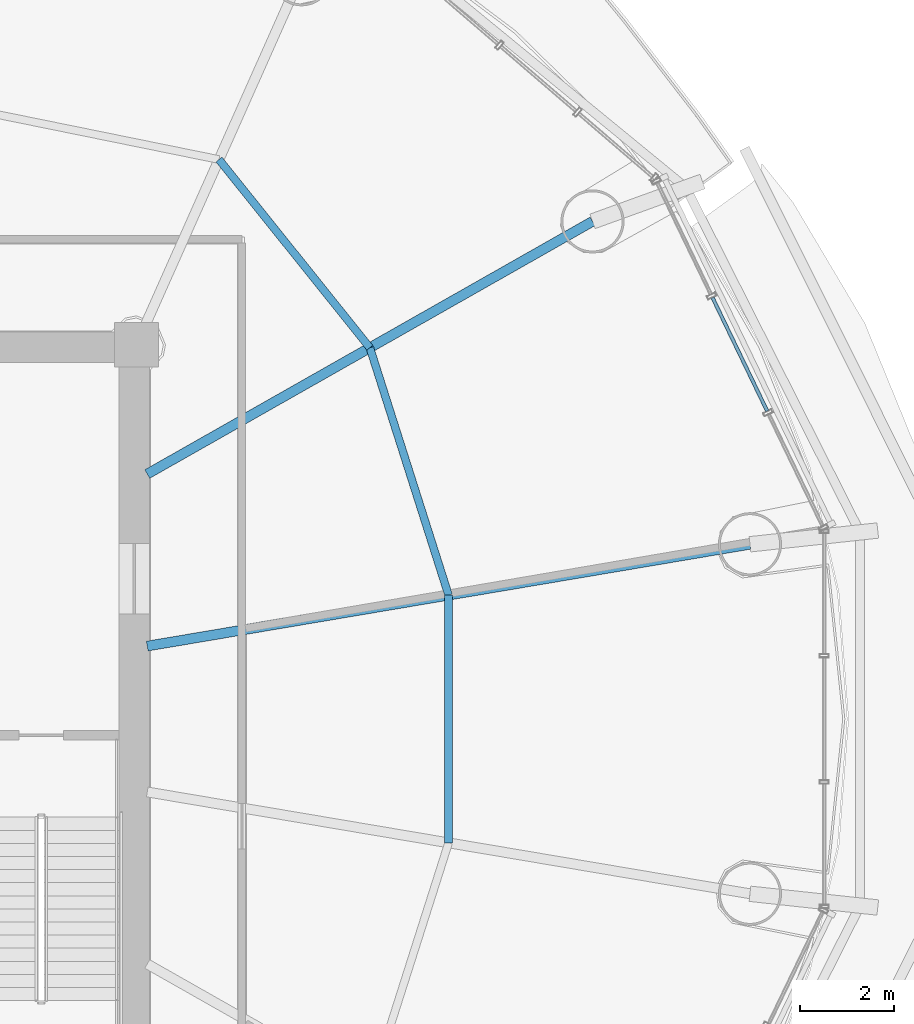
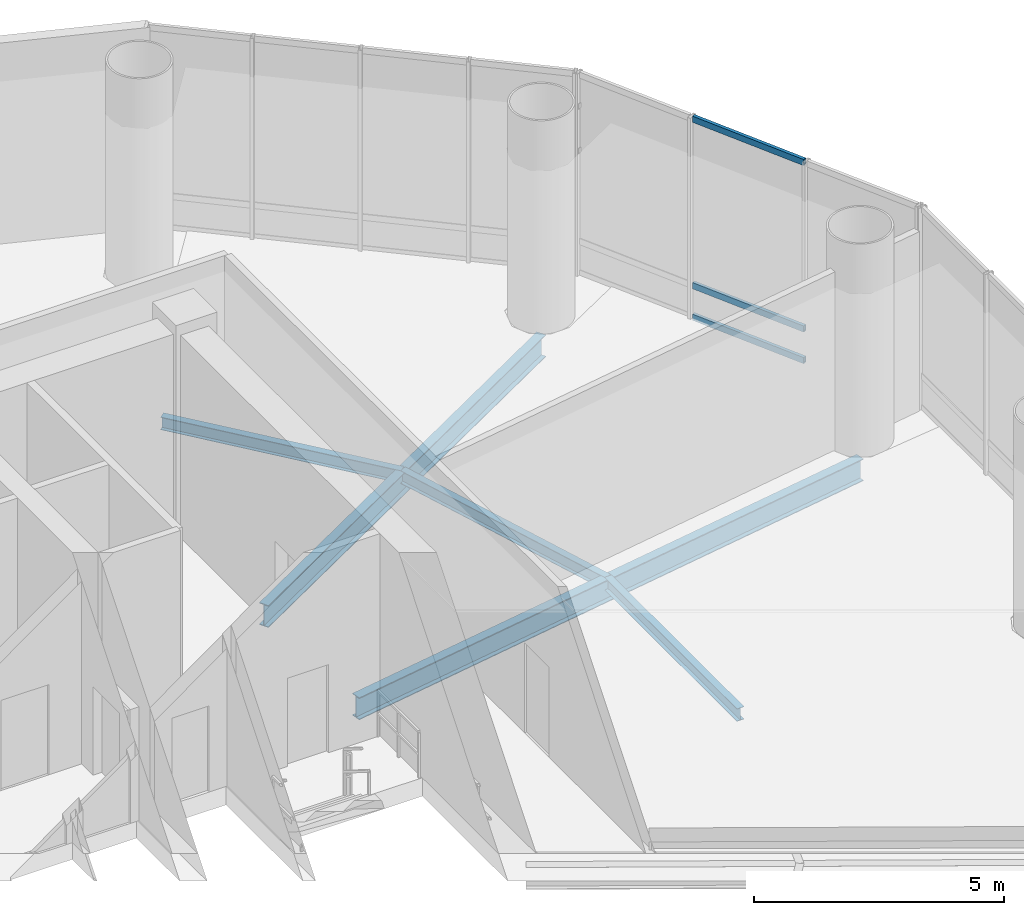
# One storey, part 12 of 29: 5 beams, 3 members, 1 element without a shape of its own.
"""IFC4 building model written with IfcOpenShell, lengths in metres."""

from ifc_helpers import new_model, si_unit, direction, frame, origin, origin_2d, place, context, subcontext, project, spatial, hollow_rectangle, i_section, extrude, source, transform, mapped, material, material_profile, profile_set, type_object, element, aggregate, save


model = new_model("IFC4")

# Units and contexts
model_context = context("Model", 3, precision=1e-05, world=origin(), true_north=direction((-0.2419218956, 0.970295726276)))
body_context = subcontext(model_context, "Body", "Model", "MODEL_VIEW")
ifc_project = project(units=[si_unit("LENGTHUNIT", "METRE"), si_unit("AREAUNIT", "SQUARE_METRE"), si_unit("VOLUMEUNIT", "CUBIC_METRE"), si_unit("PLANEANGLEUNIT", "RADIAN"), si_unit("MASSUNIT", "GRAM", prefix="KILO")], contexts=[model_context])

# Site, building, storey
site_placement = place(None, origin())
site = spatial("IfcSite", under=ifc_project, at=site_placement, CompositionType="ELEMENT")
building_placement = place(site_placement, origin())
building = spatial("IfcBuilding", under=site, at=building_placement, Name="Cobrevalo Terracotta Tower", CompositionType="ELEMENT")
storey_placement = place(building_placement, frame((0.0, 0.0, 130.199951171875)))
storey = spatial("IfcBuildingStorey", under=building, at=storey_placement, Name="L34", CompositionType="ELEMENT", Elevation=130.199951171875)

# Beams
ifc_material_1 = material(Name="Steel S355", Category="steel")
ifc_material_profile_1 = material_profile(ifc_material_1, i_section(OverallWidth=0.2109375, OverallDepth=0.5390625, WebThickness=0.01171875, FlangeThickness=0.018798828125, at=origin_2d()), Name="W 530x109")
ifc_profile_set_1 = profile_set([ifc_material_profile_1], Name="Steel S355")
beam_type_1 = type_object("IfcBeamType", Name="Structural Beam W 530x109 (Steel S355)", PredefinedType="BEAM", material=ifc_profile_set_1)
beam_1_placement = place(storey_placement, frame((60.11669921875, 30.535888671875, -0.719482421875), z_axis=(-0.986032092145, -0.166555435995, 0.0), x_axis=(0.166555435995, -0.986032092145, 0.0)))
element("IfcBeam", 1, at=beam_1_placement, inside=storey, type_object=beam_type_1, Name="L34 radial floor girder 01", PredefinedType="BEAM", context=body_context, shape_type="SweptSolid", body=[
    extrude(i_section(OverallWidth=0.2109375, OverallDepth=0.5390625, WebThickness=0.01171875, FlangeThickness=0.018798828125, at=origin_2d()), origin(), (0.0, 0.0, 1.0), 13.0693359375),
])
beam_2_placement = place(storey_placement, frame((56.749755859375, 37.439208984375, -0.719482421875), z_axis=(-0.869735339048, -0.493518429251, 0.0), x_axis=(0.493518429251, -0.869735339048, 0.0)))
element("IfcBeam", 2, at=beam_2_placement, inside=storey, type_object=beam_type_1, Name="L34 radial floor girder 02", PredefinedType="BEAM", context=body_context, shape_type="SweptSolid", body=[
    extrude(i_section(OverallWidth=0.2109375, OverallDepth=0.5390625, WebThickness=0.01171875, FlangeThickness=0.018798828125, at=origin_2d()), origin(), (0.0, 0.0, 1.0), 10.945556640625),
])
ifc_material_profile_2 = material_profile(ifc_material_1, i_section(OverallWidth=0.1650390625, OverallDepth=0.31005859375, WebThickness=0.005859375, FlangeThickness=0.009765625, at=origin_2d()), Name="W 310x38.7")
ifc_profile_set_2 = profile_set([ifc_material_profile_2], Name="Steel S355")
beam_type_2 = type_object("IfcBeamType", Name="Structural Joist W 310x38.7 (Steel S355)", PredefinedType="JOIST", material=ifc_profile_set_2)
beam_3_placement = place(storey_placement, frame((53.67333984375, 29.447509765625, -0.60498046875), z_axis=(-0.303230881841, 0.952917117224, 0.0), x_axis=(-0.952917117224, -0.303230881841, 0.0)))
element("IfcBeam", 3, at=beam_3_placement, inside=storey, type_object=beam_type_2, Name="L34 circumferential secondary floor joist 01", PredefinedType="JOIST", context=body_context, shape_type="SweptSolid", body=[
    extrude(i_section(OverallWidth=0.1650390625, OverallDepth=0.31005859375, WebThickness=0.005859375, FlangeThickness=0.009765625, at=origin_2d()), origin(), (0.0, 0.0, 1.0), 5.55224609375),
])
beam_4_placement = place(storey_placement, frame((51.98974609375, 34.73828125, -0.60498046875), z_axis=(-0.625549229995, 0.780184696628, 0.0), x_axis=(-0.780184696628, -0.625549229995, 0.0)))
element("IfcBeam", 4, at=beam_4_placement, inside=storey, type_object=beam_type_2, Name="L34 circumferential secondary floor joist 02", PredefinedType="JOIST", context=body_context, shape_type="SweptSolid", body=[
    extrude(i_section(OverallWidth=0.1650390625, OverallDepth=0.31005859375, WebThickness=0.005859375, FlangeThickness=0.009765625, at=origin_2d()), origin(), (0.0, 0.0, 1.0), 5.156494140625),
])
beam_5_placement = place(storey_placement, frame((53.67333984375, 24.15234375, -0.60498046875), z_axis=(0.0, 1.0, 0.0), x_axis=(-1.0, 0.0, 0.0)))
element("IfcBeam", 5, at=beam_5_placement, inside=storey, type_object=beam_type_2, Name="L34 circumferential secondary floor joist 16", PredefinedType="JOIST", context=body_context, shape_type="SweptSolid", body=[
    extrude(i_section(OverallWidth=0.1650390625, OverallDepth=0.31005859375, WebThickness=0.005859375, FlangeThickness=0.009765625, at=origin_2d()), origin(), (0.0, 0.0, 1.0), 5.295166015625),
])

# Curtain wall, members
ifc_material_2 = material(Name="Anodized aluminium", Category="aluminium")
curtain_wall_type = type_object("IfcCurtainWallType", Name="Double-height sky-lobby panoramic curtain wall CW-SK", PredefinedType="NOTDEFINED", material=ifc_material_2)
curtain_wall_placement = place(storey_placement, origin())
curtain_wall = element("IfcCurtainWall", 6, at=curtain_wall_placement, inside=storey, type_object=curtain_wall_type, Name="L34 curtain wall CW-SK-L34-S01", PredefinedType="NOTDEFINED")
ifc_material_profile_3 = material_profile(ifc_material_2, hollow_rectangle(XDim=0.074951171875, YDim=0.14990234375, WallThickness=0.00439453125, at=origin_2d()), Name="CWT 75x150")
ifc_profile_set_3 = profile_set([ifc_material_profile_3], Name="Anodized aluminium")
member_type = type_object("IfcMemberType", Name="Tower unitised aluminium transom 75x150", PredefinedType="USERDEFINED", material=ifc_profile_set_3)
shared_shape = source(origin(), body_context, "Body", "SweptSolid", [
    extrude(hollow_rectangle(XDim=0.074951171875, YDim=0.14990234375, WallThickness=0.00439453125, at=origin_2d()), origin(), (0.0, 0.0, 1.0), 2.6904296875),
])
member_1_placement = place(storey_placement, frame((60.485107421875, 33.3837890625, 0.050048828125), z_axis=(-0.434208463265, 0.900812416893, 0.0), x_axis=(-0.900812416893, -0.434208463265, 0.0)))
member_1 = element("IfcMember", 7, at=member_1_placement, type_object=member_type, Name="CW-SK-L34-S01 transom B02-T1", ObjectType="TRANSOM", PredefinedType="USERDEFINED", context=body_context, shape_type="MappedRepresentation", body=[
    mapped(shared_shape, transform((0.0, 0.0, 0.0), scale=1.0)),
])
member_2_placement = place(storey_placement, frame((60.485107421875, 33.3837890625, 0.820068359375), z_axis=(-0.434208463265, 0.900812416893, 0.0), x_axis=(-0.900812416893, -0.434208463265, 0.0)))
member_2 = element("IfcMember", 8, at=member_2_placement, type_object=member_type, Name="CW-SK-L34-S01 transom B02-T2", ObjectType="TRANSOM", PredefinedType="USERDEFINED", context=body_context, shape_type="MappedRepresentation", body=[
    mapped(shared_shape, transform((0.0, 0.0, 0.0), scale=1.0)),
])
member_3_placement = place(storey_placement, frame((60.485107421875, 33.3837890625, 4.880126953125), z_axis=(-0.434208463265, 0.900812416893, 0.0), x_axis=(-0.900812416893, -0.434208463265, 0.0)))
member_3 = element("IfcMember", 9, at=member_3_placement, type_object=member_type, Name="CW-SK-L34-S01 transom B02-T3", ObjectType="TRANSOM", PredefinedType="USERDEFINED", context=body_context, shape_type="MappedRepresentation", body=[
    mapped(shared_shape, transform((0.0, 0.0, 0.0), scale=1.0)),
])
aggregate(curtain_wall, [member_1, member_2, member_3])

save(model, "model.ifc")
